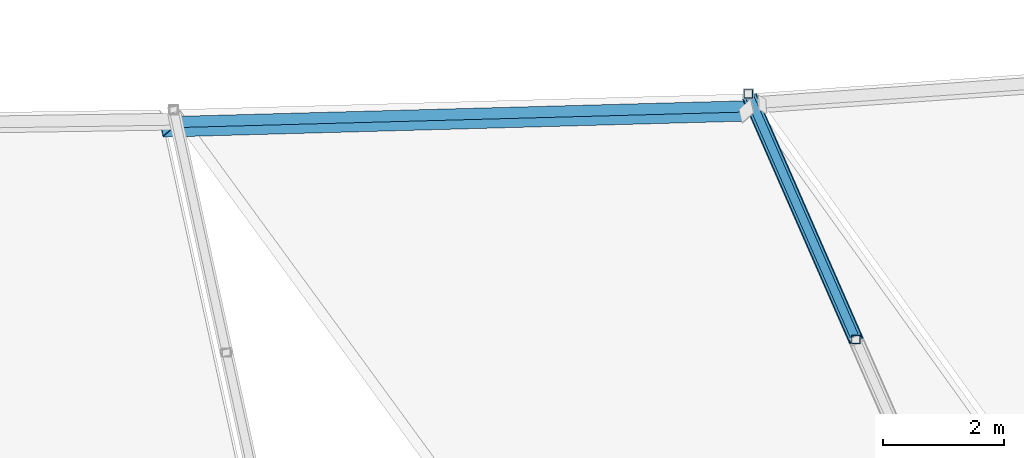
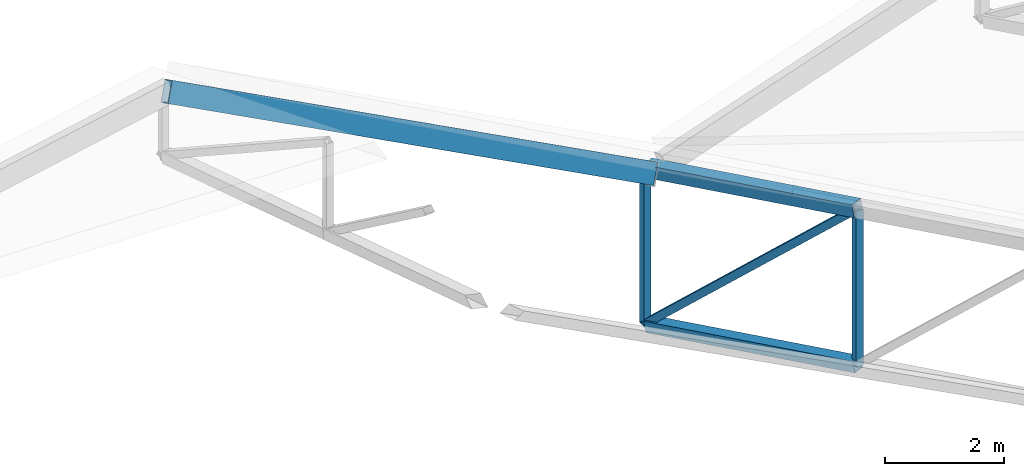
# One storey, part 48 of 344: 5 members, 1 beam.
"""IFC4 building model written with IfcOpenShell, lengths in metres."""

from ifc_helpers import new_model, si_unit, direction, frame, origin, origin_2d, place, context, subcontext, project, spatial, hollow_rectangle, extrude, material, material_profile, profile_set, type_object, element, save


model = new_model("IFC4")

# Units and contexts
model_context = context("Model", 3, precision=1e-05, world=origin(), true_north=direction((0.0, 1.0)))
body_context = subcontext(model_context, "Body", "Model", "MODEL_VIEW")
ifc_project = project(units=[si_unit("LENGTHUNIT", "METRE"), si_unit("AREAUNIT", "SQUARE_METRE"), si_unit("VOLUMEUNIT", "CUBIC_METRE"), si_unit("PLANEANGLEUNIT", "RADIAN"), si_unit("MASSUNIT", "GRAM", prefix="KILO")], contexts=[model_context])

# Site, building, storey
site_placement = place(None, origin())
site = spatial("IfcSite", under=ifc_project, at=site_placement, CompositionType="ELEMENT")
building_placement = place(site_placement, origin())
building = spatial("IfcBuilding", under=site, at=building_placement, Name="Meseta Stadium", CompositionType="ELEMENT")
storey_placement = place(building_placement, frame((0.0, 0.0, 24.0)))
storey = spatial("IfcBuildingStorey", under=building, at=storey_placement, Name="L04", CompositionType="ELEMENT", Elevation=24.0)

# Beam
ifc_material_1 = material(Name="Steel S355", Category="steel")
ifc_material_profile_1 = material_profile(ifc_material_1, hollow_rectangle(XDim=0.199951171875, YDim=0.39990234375, WallThickness=0.01611328125, at=origin_2d()), Name="RHS 400x200x16")
ifc_profile_set_1 = profile_set([ifc_material_profile_1], Name="Steel S355")
beam_type = type_object("IfcBeamType", Name="RHS 400x200x16 tip ring beam", PredefinedType="BEAM", material=ifc_profile_set_1)
beam_placement = place(storey_placement, frame((14.28271484375, -66.12109375, 6.789794921875), z_axis=(0.878872165511, 0.024077152541, -0.476449375502), x_axis=(-0.204990670177, 0.92088184425, -0.331595316722)))
element("IfcBeam", 1, at=beam_placement, inside=storey, type_object=beam_type, Name="TIP RING BEAM 49", PredefinedType="BEAM", context=body_context, shape_type="SweptSolid", body=[
    extrude(hollow_rectangle(XDim=0.199951171875, YDim=0.39990234375, WallThickness=0.01611328125, at=origin_2d()), origin(), (0.0, 0.0, 1.0), 10.880126953125),
])

# Members
ifc_material_2 = material(Name="Steel S355", Category="steel")
ifc_material_profile_2 = material_profile(ifc_material_2, hollow_rectangle(XDim=0.139892578125, YDim=0.139892578125, WallThickness=0.0048828125, at=origin_2d()), Name="SHS 140x140x5")
ifc_profile_set_2 = profile_set([ifc_material_profile_2], Name="Steel S355")
member_type_1 = type_object("IfcMemberType", Name="SHS 140x140x5 diagonal", PredefinedType="BRACE", material=ifc_profile_set_2)
member_1_placement = place(storey_placement, frame((23.879638671875, -65.576904296875, -1.6552734375), z_axis=(0.290918020478, -0.664698263541, 0.688144551534), x_axis=(0.916100374083, 0.400949004993, 0.0)))
element("IfcMember", 2, at=member_1_placement, inside=storey, type_object=member_type_1, Name="ROOF TRUSS RT-49 diagonal", PredefinedType="BRACE", context=body_context, shape_type="SweptSolid", body=[
    extrude(hollow_rectangle(XDim=0.139892578125, YDim=0.139892578125, WallThickness=0.0048828125, at=origin_2d()), origin(), (0.0, 0.0, 1.0), 6.101806640625),
])
ifc_material_3 = material(Name="Steel S355", Category="steel")
ifc_material_profile_3 = material_profile(ifc_material_3, hollow_rectangle(XDim=0.139892578125, YDim=0.139892578125, WallThickness=0.0048828125, at=origin_2d()), Name="SHS 140x140x5")
ifc_profile_set_3 = profile_set([ifc_material_profile_3], Name="Steel S355")
member_type_2 = type_object("IfcMemberType", Name="SHS 140x140x5 post", PredefinedType="POST", material=ifc_profile_set_3)
member_2_placement = place(storey_placement, frame((25.65478515625, -69.6328125, -0.656494140625), z_axis=(0.0, 0.0, 1.0), x_axis=(1.0, 0.0, 0.0)))
element("IfcMember", 3, at=member_2_placement, inside=storey, type_object=member_type_2, Name="ROOF TRUSS RT-49 post", PredefinedType="POST", context=body_context, shape_type="SweptSolid", body=[
    extrude(hollow_rectangle(XDim=0.139892578125, YDim=0.139892578125, WallThickness=0.0048828125, at=origin_2d()), origin(), (0.0, 0.0, 1.0), 3.2001953125),
])
ifc_material_4 = material(Name="Steel S355", Category="steel")
ifc_material_profile_4 = material_profile(ifc_material_4, hollow_rectangle(XDim=0.139892578125, YDim=0.139892578125, WallThickness=0.0048828125, at=origin_2d()), Name="SHS 140x140x5")
ifc_profile_set_4 = profile_set([ifc_material_profile_4], Name="Steel S355")
member_type_3 = type_object("IfcMemberType", Name="SHS 140x140x5 rim post", PredefinedType="POST", material=ifc_profile_set_4)
member_3_placement = place(storey_placement, frame((23.879638671875, -65.576904296875, -1.6552734375), z_axis=(0.0, 0.0, 1.0), x_axis=(1.0, 0.0, 0.0)))
element("IfcMember", 4, at=member_3_placement, inside=storey, type_object=member_type_3, Name="ROOF TRUSS RT-49 post", PredefinedType="POST", context=body_context, shape_type="SweptSolid", body=[
    extrude(hollow_rectangle(XDim=0.139892578125, YDim=0.139892578125, WallThickness=0.0048828125, at=origin_2d()), origin(), (0.0, 0.0, 1.0), 3.199951171875),
])
ifc_material_5 = material(Name="Steel S355", Category="steel")
ifc_material_profile_5 = material_profile(ifc_material_5, hollow_rectangle(XDim=0.219970703125, YDim=0.219970703125, WallThickness=0.008056640625, at=origin_2d()), Name="SHS 220x220x8")
ifc_profile_set_5 = profile_set([ifc_material_profile_5], Name="Steel S355")
member_type_4 = type_object("IfcMemberType", Name="SHS 220x220x8 bottom chord", PredefinedType="CHORD", material=ifc_profile_set_5)
member_4_placement = place(storey_placement, frame((23.9072265625, -65.639404296875, -1.639892578125), z_axis=(0.391075614512, -0.893660774877, 0.220068814648), x_axis=(0.916120053598, 0.400904037639, 0.0)))
element("IfcMember", 5, at=member_4_placement, inside=storey, type_object=member_type_4, Name="ROOF TRUSS RT-49 bottom chord", PredefinedType="CHORD", context=body_context, shape_type="SweptSolid", body=[
    extrude(hollow_rectangle(XDim=0.219970703125, YDim=0.219970703125, WallThickness=0.008056640625, at=origin_2d()), origin(), (0.0, 0.0, 1.0), 4.468505859375),
])
ifc_material_6 = material(Name="Steel S355", Category="steel")
ifc_material_profile_6 = material_profile(ifc_material_6, hollow_rectangle(XDim=0.25, YDim=0.25, WallThickness=0.010009765625, at=origin_2d()), Name="SHS 250x250x10")
ifc_profile_set_6 = profile_set([ifc_material_profile_6], Name="Steel S355")
member_type_5 = type_object("IfcMemberType", Name="SHS 250x250x10 top chord", PredefinedType="CHORD", material=ifc_profile_set_6)
member_5_placement = place(storey_placement, frame((23.9072265625, -65.639404296875, 1.56005859375), z_axis=(0.391070911952, -0.89365002889, 0.220120802494), x_axis=(0.916120053598, 0.400904037639, 0.0)))
element("IfcMember", 6, at=member_5_placement, inside=storey, type_object=member_type_5, Name="ROOF TRUSS RT-49 top chord", PredefinedType="CHORD", context=body_context, shape_type="SweptSolid", body=[
    extrude(hollow_rectangle(XDim=0.25, YDim=0.25, WallThickness=0.010009765625, at=origin_2d()), origin(), (0.0, 0.0, 1.0), 4.46875),
])

save(model, "model.ifc")
